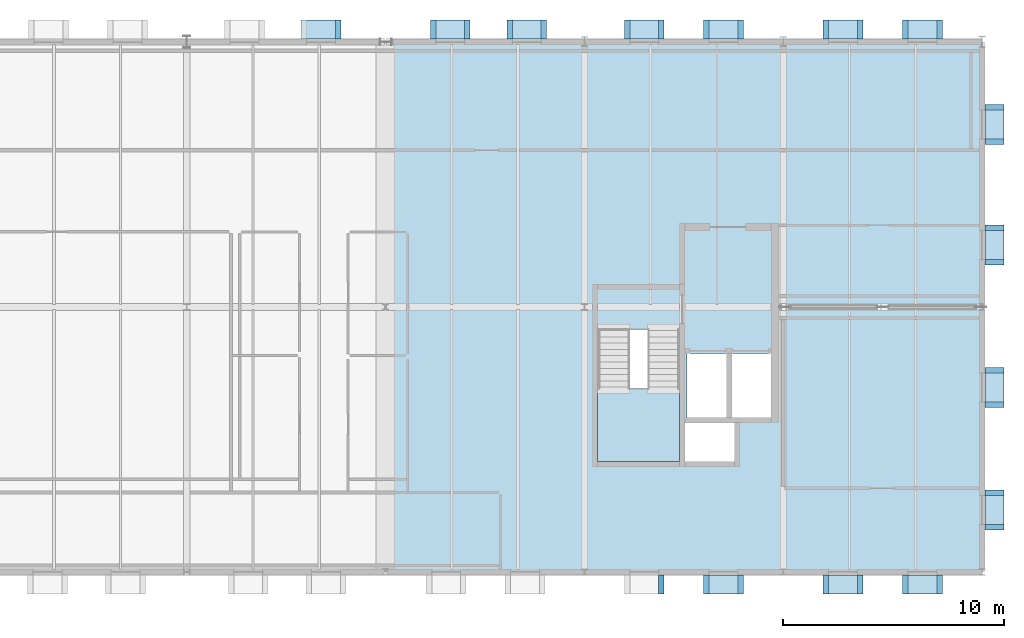
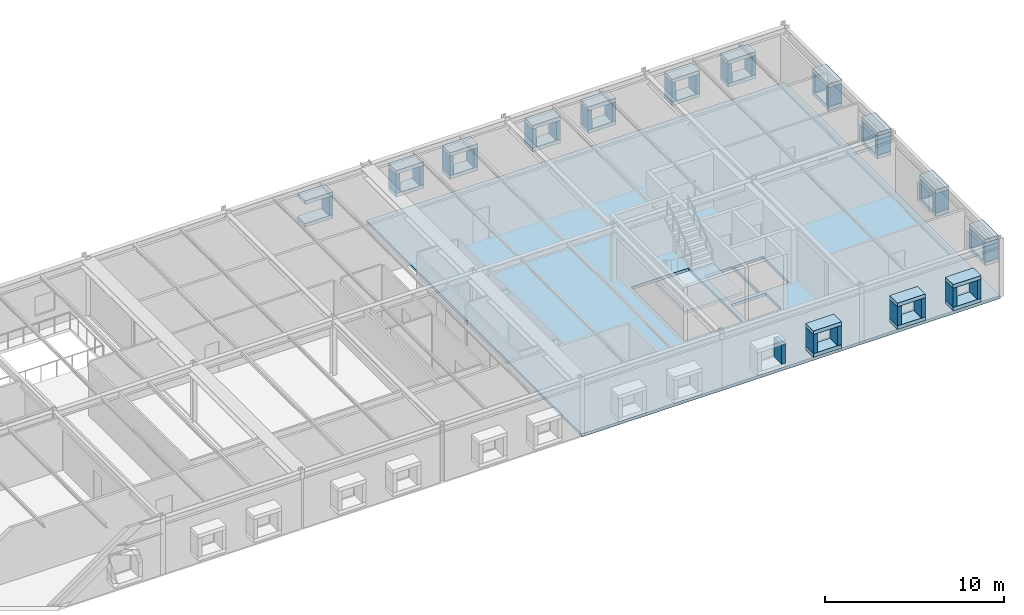
# One storey, part 7 of 17: 56 plates, 2 slabs, 1 element without a shape of its own.
"""IFC4 building model written with IfcOpenShell, lengths in metres."""

from ifc_helpers import new_model, si_unit, direction, frame, origin, origin_2d, place, context, subcontext, project, spatial, polyline, rectangle, outline, extrude, material, layer, layer_set, type_object, element, aggregate, save


model = new_model("IFC4")

# Units and contexts
model_context = context("Model", 3, precision=1e-05, world=origin(), true_north=direction((0.0, 1.0)))
body_context = subcontext(model_context, "Body", "Model", "MODEL_VIEW")
ifc_project = project(units=[si_unit("LENGTHUNIT", "METRE"), si_unit("AREAUNIT", "SQUARE_METRE"), si_unit("VOLUMEUNIT", "CUBIC_METRE"), si_unit("PLANEANGLEUNIT", "RADIAN"), si_unit("MASSUNIT", "GRAM", prefix="KILO")], contexts=[model_context])

# Site, building, storey
site_placement = place(None, origin())
site = spatial("IfcSite", under=ifc_project, at=site_placement, CompositionType="ELEMENT")
building_placement = place(site_placement, origin())
building = spatial("IfcBuilding", under=site, at=building_placement, Name="Montelvaro Courts of Justice", CompositionType="ELEMENT")
storey_placement = place(building_placement, frame((0.0, 0.0, 31.39990234375)))
storey = spatial("IfcBuildingStorey", under=building, at=storey_placement, Name="L07", CompositionType="ELEMENT", Elevation=31.39990234375)

# Slab
ifc_material_1 = material(Name="Concrete C35/45", Category="concrete")
ifc_layer_1 = layer(ifc_material_1, 0.199951171875)
ifc_layer_set_1 = layer_set([ifc_layer_1], Name="Concrete C35/45")
slab_type_1 = type_object("IfcSlabType", Name="FloorSlab_200", PredefinedType="FLOOR", material=ifc_layer_set_1)
slab_1_placement = place(storey_placement, frame((0.0, 0.0, -0.199951171875)))
element("IfcSlab", 1, at=slab_1_placement, inside=storey, type_object=slab_type_1, Name="Structural Slab SF-09 L07", PredefinedType="FLOOR", context=body_context, shape_type="SweptSolid", body=[
    extrude(outline(polyline([(99.050048828125, 0.0), (126.0, 0.0), (126.0, 24.0), (99.050048828125, 24.0), (99.050048828125, 0.0)]), holes=[polyline([(108.60009765625, 5.0), (112.300048828125, 5.0), (112.300048828125, 11.0), (108.60009765625, 11.0), (108.60009765625, 5.0)]), polyline([(112.5400390625, 5.0), (114.800048828125, 5.0), (114.800048828125, 6.760009765625), (112.5400390625, 6.760009765625), (112.5400390625, 5.0)]), polyline([(112.64990234375, 7.0), (114.5, 7.0), (114.5, 9.89990234375), (112.64990234375, 9.89990234375), (112.64990234375, 7.0)]), polyline([(114.60009765625, 7.0), (116.449951171875, 7.0), (116.449951171875, 9.89990234375), (114.60009765625, 9.89990234375), (114.60009765625, 7.0)])]), origin(), (0.0, 0.0, 1.0), 0.199951171875),
])

# Plates
ifc_material_2 = material(Name="White mineral precast concrete C45/55", Category="concrete")
ifc_layer_2 = layer(ifc_material_2, 0.25)
ifc_layer_set_2 = layer_set([ifc_layer_2], Name="White mineral precast concrete C45/55")
plate_type = type_object("IfcPlateType", Name="PrecastSquareFrame_250x850", PredefinedType="SHEET", material=ifc_layer_set_2)
for number, where, z_axis, x_axis, name in (
    (2, (96.075927734375, 24.56005859375, 2.35009765625), (0.0, 0.0, 1.0), (-1.0, 0.0, 0.0), "Graduated Square Window Frame PF-03 W-L07-350 TOP"),
    (3, (96.075927734375, 24.56005859375, 0.800048828125), (0.0, 0.0, 1.0), (-1.0, 0.0, 0.0), "Graduated Square Window Frame PF-03 W-L07-350 BOT"),
):
    element("IfcPlate", number, at=place(storey_placement, frame(where, z_axis=z_axis, x_axis=x_axis)), inside=storey, type_object=plate_type, Name=name, PredefinedType="SHEET", context=body_context, shape_type="SweptSolid", body=[
        extrude(rectangle(XDim=1.800048828125, YDim=0.860107421875, at=origin_2d()), origin(), (0.0, 0.0, 1.0), 0.25),
    ])
for number, where, z_axis, x_axis, name in (
    (4, (96.85107421875, 24.56005859375, 1.05029296875), (0.0, 0.0, 1.0), (-1.0, 0.0, 0.0), "Graduated Square Window Frame PF-03 W-L07-350 L"),
    (5, (111.47802734375, -0.56005859375, 1.05029296875), (0.0, 0.0, 1.0), (1.0, 0.0, 0.0), "Graduated Square Window Frame PF-03 W-L07-356 R"),
):
    element("IfcPlate", number, at=place(storey_placement, frame(where, z_axis=z_axis, x_axis=x_axis)), inside=storey, type_object=plate_type, Name=name, PredefinedType="SHEET", context=body_context, shape_type="SweptSolid", body=[
        extrude(rectangle(XDim=0.25, YDim=0.860107421875, at=origin_2d()), origin(), (0.0, 0.0, 1.0), 1.300048828125),
    ])
for number, where, z_axis, x_axis, name in (
    (6, (114.297119140625, -0.56005859375, 2.35009765625), (0.0, 0.0, 1.0), (1.0, 0.0, 0.0), "Graduated Square Window Frame PF-03 W-L07-357 TOP"),
    (7, (114.297119140625, -0.56005859375, 0.800048828125), (0.0, 0.0, 1.0), (1.0, 0.0, 0.0), "Graduated Square Window Frame PF-03 W-L07-357 BOT"),
):
    element("IfcPlate", number, at=place(storey_placement, frame(where, z_axis=z_axis, x_axis=x_axis)), inside=storey, type_object=plate_type, Name=name, PredefinedType="SHEET", context=body_context, shape_type="SweptSolid", body=[
        extrude(rectangle(XDim=1.800048828125, YDim=0.860107421875, at=origin_2d()), origin(), (0.0, 0.0, 1.0), 0.25),
    ])
for number, where, z_axis, x_axis, name in (
    (8, (113.52197265625, -0.56005859375, 1.05029296875), (0.0, 0.0, 1.0), (1.0, 0.0, 0.0), "Graduated Square Window Frame PF-03 W-L07-357 L"),
    (9, (115.072021484375, -0.56005859375, 1.05029296875), (0.0, 0.0, 1.0), (1.0, 0.0, 0.0), "Graduated Square Window Frame PF-03 W-L07-357 R"),
):
    element("IfcPlate", number, at=place(storey_placement, frame(where, z_axis=z_axis, x_axis=x_axis)), inside=storey, type_object=plate_type, Name=name, PredefinedType="SHEET", context=body_context, shape_type="SweptSolid", body=[
        extrude(rectangle(XDim=0.25, YDim=0.860107421875, at=origin_2d()), origin(), (0.0, 0.0, 1.0), 1.300048828125),
    ])
for number, where, z_axis, x_axis, name in (
    (10, (119.702880859375, -0.56005859375, 2.35009765625), (0.0, 0.0, 1.0), (1.0, 0.0, 0.0), "Graduated Square Window Frame PF-03 W-L07-358 TOP"),
    (11, (119.702880859375, -0.56005859375, 0.800048828125), (0.0, 0.0, 1.0), (1.0, 0.0, 0.0), "Graduated Square Window Frame PF-03 W-L07-358 BOT"),
):
    element("IfcPlate", number, at=place(storey_placement, frame(where, z_axis=z_axis, x_axis=x_axis)), inside=storey, type_object=plate_type, Name=name, PredefinedType="SHEET", context=body_context, shape_type="SweptSolid", body=[
        extrude(rectangle(XDim=1.800048828125, YDim=0.860107421875, at=origin_2d()), origin(), (0.0, 0.0, 1.0), 0.25),
    ])
for number, where, z_axis, x_axis, name in (
    (12, (118.927978515625, -0.56005859375, 1.05029296875), (0.0, 0.0, 1.0), (1.0, 0.0, 0.0), "Graduated Square Window Frame PF-03 W-L07-358 L"),
    (13, (120.47802734375, -0.56005859375, 1.05029296875), (0.0, 0.0, 1.0), (1.0, 0.0, 0.0), "Graduated Square Window Frame PF-03 W-L07-358 R"),
):
    element("IfcPlate", number, at=place(storey_placement, frame(where, z_axis=z_axis, x_axis=x_axis)), inside=storey, type_object=plate_type, Name=name, PredefinedType="SHEET", context=body_context, shape_type="SweptSolid", body=[
        extrude(rectangle(XDim=0.25, YDim=0.860107421875, at=origin_2d()), origin(), (0.0, 0.0, 1.0), 1.300048828125),
    ])
for number, where, z_axis, x_axis, name in (
    (14, (123.297119140625, -0.56005859375, 2.35009765625), (0.0, 0.0, 1.0), (1.0, 0.0, 0.0), "Graduated Square Window Frame PF-03 W-L07-359 TOP"),
    (15, (123.297119140625, -0.56005859375, 0.800048828125), (0.0, 0.0, 1.0), (1.0, 0.0, 0.0), "Graduated Square Window Frame PF-03 W-L07-359 BOT"),
):
    element("IfcPlate", number, at=place(storey_placement, frame(where, z_axis=z_axis, x_axis=x_axis)), inside=storey, type_object=plate_type, Name=name, PredefinedType="SHEET", context=body_context, shape_type="SweptSolid", body=[
        extrude(rectangle(XDim=1.800048828125, YDim=0.860107421875, at=origin_2d()), origin(), (0.0, 0.0, 1.0), 0.25),
    ])
for number, where, z_axis, x_axis, name in (
    (16, (122.52197265625, -0.56005859375, 1.05029296875), (0.0, 0.0, 1.0), (1.0, 0.0, 0.0), "Graduated Square Window Frame PF-03 W-L07-359 L"),
    (17, (124.072021484375, -0.56005859375, 1.05029296875), (0.0, 0.0, 1.0), (1.0, 0.0, 0.0), "Graduated Square Window Frame PF-03 W-L07-359 R"),
):
    element("IfcPlate", number, at=place(storey_placement, frame(where, z_axis=z_axis, x_axis=x_axis)), inside=storey, type_object=plate_type, Name=name, PredefinedType="SHEET", context=body_context, shape_type="SweptSolid", body=[
        extrude(rectangle(XDim=0.25, YDim=0.860107421875, at=origin_2d()), origin(), (0.0, 0.0, 1.0), 1.300048828125),
    ])
for number, where, z_axis, x_axis, name in (
    (18, (126.56005859375, 2.81005859375, 2.35009765625), (0.0, 0.0, 1.0), (0.0, 1.0, 0.0), "Graduated Square Window Frame PF-03 W-L07-360 TOP"),
    (19, (126.56005859375, 2.81005859375, 0.800048828125), (0.0, 0.0, 1.0), (0.0, 1.0, 0.0), "Graduated Square Window Frame PF-03 W-L07-360 BOT"),
):
    element("IfcPlate", number, at=place(storey_placement, frame(where, z_axis=z_axis, x_axis=x_axis)), inside=storey, type_object=plate_type, Name=name, PredefinedType="SHEET", context=body_context, shape_type="SweptSolid", body=[
        extrude(rectangle(XDim=1.800048828125, YDim=0.860107421875, at=origin_2d()), origin(), (0.0, 0.0, 1.0), 0.25),
    ])
for number, where, z_axis, x_axis, name in (
    (20, (126.56005859375, 2.034912109375, 1.05029296875), (0.0, 0.0, 1.0), (0.0, 1.0, 0.0), "Graduated Square Window Frame PF-03 W-L07-360 L"),
    (21, (126.56005859375, 3.5849609375, 1.05029296875), (0.0, 0.0, 1.0), (0.0, 1.0, 0.0), "Graduated Square Window Frame PF-03 W-L07-360 R"),
):
    element("IfcPlate", number, at=place(storey_placement, frame(where, z_axis=z_axis, x_axis=x_axis)), inside=storey, type_object=plate_type, Name=name, PredefinedType="SHEET", context=body_context, shape_type="SweptSolid", body=[
        extrude(rectangle(XDim=0.25, YDim=0.860107421875, at=origin_2d()), origin(), (0.0, 0.0, 1.0), 1.300048828125),
    ])
for number, where, z_axis, x_axis, name in (
    (22, (126.56005859375, 8.35498046875, 2.35009765625), (0.0, 0.0, 1.0), (0.0, 1.0, 0.0), "Graduated Square Window Frame PF-03 W-L07-361 TOP"),
    (23, (126.56005859375, 8.35498046875, 0.800048828125), (0.0, 0.0, 1.0), (0.0, 1.0, 0.0), "Graduated Square Window Frame PF-03 W-L07-361 BOT"),
):
    element("IfcPlate", number, at=place(storey_placement, frame(where, z_axis=z_axis, x_axis=x_axis)), inside=storey, type_object=plate_type, Name=name, PredefinedType="SHEET", context=body_context, shape_type="SweptSolid", body=[
        extrude(rectangle(XDim=1.800048828125, YDim=0.860107421875, at=origin_2d()), origin(), (0.0, 0.0, 1.0), 0.25),
    ])
for number, where, z_axis, x_axis, name in (
    (24, (126.56005859375, 7.580078125, 1.05029296875), (0.0, 0.0, 1.0), (0.0, 1.0, 0.0), "Graduated Square Window Frame PF-03 W-L07-361 L"),
    (25, (126.56005859375, 9.1298828125, 1.05029296875), (0.0, 0.0, 1.0), (0.0, 1.0, 0.0), "Graduated Square Window Frame PF-03 W-L07-361 R"),
):
    element("IfcPlate", number, at=place(storey_placement, frame(where, z_axis=z_axis, x_axis=x_axis)), inside=storey, type_object=plate_type, Name=name, PredefinedType="SHEET", context=body_context, shape_type="SweptSolid", body=[
        extrude(rectangle(XDim=0.25, YDim=0.860107421875, at=origin_2d()), origin(), (0.0, 0.0, 1.0), 1.300048828125),
    ])
for number, where, z_axis, x_axis, name in (
    (26, (126.56005859375, 14.81005859375, 2.35009765625), (0.0, 0.0, 1.0), (0.0, 1.0, 0.0), "Graduated Square Window Frame PF-03 W-L07-362 TOP"),
    (27, (126.56005859375, 14.81005859375, 0.800048828125), (0.0, 0.0, 1.0), (0.0, 1.0, 0.0), "Graduated Square Window Frame PF-03 W-L07-362 BOT"),
):
    element("IfcPlate", number, at=place(storey_placement, frame(where, z_axis=z_axis, x_axis=x_axis)), inside=storey, type_object=plate_type, Name=name, PredefinedType="SHEET", context=body_context, shape_type="SweptSolid", body=[
        extrude(rectangle(XDim=1.800048828125, YDim=0.860107421875, at=origin_2d()), origin(), (0.0, 0.0, 1.0), 0.25),
    ])
for number, where, z_axis, x_axis, name in (
    (28, (126.56005859375, 14.034912109375, 1.05029296875), (0.0, 0.0, 1.0), (0.0, 1.0, 0.0), "Graduated Square Window Frame PF-03 W-L07-362 L"),
    (29, (126.56005859375, 15.5849609375, 1.05029296875), (0.0, 0.0, 1.0), (0.0, 1.0, 0.0), "Graduated Square Window Frame PF-03 W-L07-362 R"),
):
    element("IfcPlate", number, at=place(storey_placement, frame(where, z_axis=z_axis, x_axis=x_axis)), inside=storey, type_object=plate_type, Name=name, PredefinedType="SHEET", context=body_context, shape_type="SweptSolid", body=[
        extrude(rectangle(XDim=0.25, YDim=0.860107421875, at=origin_2d()), origin(), (0.0, 0.0, 1.0), 1.300048828125),
    ])
for number, where, z_axis, x_axis, name in (
    (30, (126.56005859375, 20.264892578125, 2.35009765625), (0.0, 0.0, 1.0), (0.0, 1.0, 0.0), "Graduated Square Window Frame PF-03 W-L07-363 TOP"),
    (31, (126.56005859375, 20.264892578125, 0.800048828125), (0.0, 0.0, 1.0), (0.0, 1.0, 0.0), "Graduated Square Window Frame PF-03 W-L07-363 BOT"),
):
    element("IfcPlate", number, at=place(storey_placement, frame(where, z_axis=z_axis, x_axis=x_axis)), inside=storey, type_object=plate_type, Name=name, PredefinedType="SHEET", context=body_context, shape_type="SweptSolid", body=[
        extrude(rectangle(XDim=1.800048828125, YDim=0.860107421875, at=origin_2d()), origin(), (0.0, 0.0, 1.0), 0.25),
    ])
for number, where, z_axis, x_axis, name in (
    (32, (126.56005859375, 19.489990234375, 1.05029296875), (0.0, 0.0, 1.0), (0.0, 1.0, 0.0), "Graduated Square Window Frame PF-03 W-L07-363 L"),
    (33, (126.56005859375, 21.0400390625, 1.05029296875), (0.0, 0.0, 1.0), (0.0, 1.0, 0.0), "Graduated Square Window Frame PF-03 W-L07-363 R"),
):
    element("IfcPlate", number, at=place(storey_placement, frame(where, z_axis=z_axis, x_axis=x_axis)), inside=storey, type_object=plate_type, Name=name, PredefinedType="SHEET", context=body_context, shape_type="SweptSolid", body=[
        extrude(rectangle(XDim=0.25, YDim=0.860107421875, at=origin_2d()), origin(), (0.0, 0.0, 1.0), 1.300048828125),
    ])
for number, where, z_axis, x_axis, name in (
    (34, (123.297119140625, 24.56005859375, 2.35009765625), (0.0, 0.0, 1.0), (-1.0, 0.0, 0.0), "Graduated Square Window Frame PF-03 W-L07-364 TOP"),
    (35, (123.297119140625, 24.56005859375, 0.800048828125), (0.0, 0.0, 1.0), (-1.0, 0.0, 0.0), "Graduated Square Window Frame PF-03 W-L07-364 BOT"),
):
    element("IfcPlate", number, at=place(storey_placement, frame(where, z_axis=z_axis, x_axis=x_axis)), inside=storey, type_object=plate_type, Name=name, PredefinedType="SHEET", context=body_context, shape_type="SweptSolid", body=[
        extrude(rectangle(XDim=1.800048828125, YDim=0.860107421875, at=origin_2d()), origin(), (0.0, 0.0, 1.0), 0.25),
    ])
for number, where, z_axis, x_axis, name in (
    (36, (124.072021484375, 24.56005859375, 1.05029296875), (0.0, 0.0, 1.0), (-1.0, 0.0, 0.0), "Graduated Square Window Frame PF-03 W-L07-364 L"),
    (37, (122.52197265625, 24.56005859375, 1.05029296875), (0.0, 0.0, 1.0), (-1.0, 0.0, 0.0), "Graduated Square Window Frame PF-03 W-L07-364 R"),
):
    element("IfcPlate", number, at=place(storey_placement, frame(where, z_axis=z_axis, x_axis=x_axis)), inside=storey, type_object=plate_type, Name=name, PredefinedType="SHEET", context=body_context, shape_type="SweptSolid", body=[
        extrude(rectangle(XDim=0.25, YDim=0.860107421875, at=origin_2d()), origin(), (0.0, 0.0, 1.0), 1.300048828125),
    ])
for number, where, z_axis, x_axis, name in (
    (38, (119.702880859375, 24.56005859375, 2.35009765625), (0.0, 0.0, 1.0), (-1.0, 0.0, 0.0), "Graduated Square Window Frame PF-03 W-L07-365 TOP"),
    (39, (119.702880859375, 24.56005859375, 0.800048828125), (0.0, 0.0, 1.0), (-1.0, 0.0, 0.0), "Graduated Square Window Frame PF-03 W-L07-365 BOT"),
):
    element("IfcPlate", number, at=place(storey_placement, frame(where, z_axis=z_axis, x_axis=x_axis)), inside=storey, type_object=plate_type, Name=name, PredefinedType="SHEET", context=body_context, shape_type="SweptSolid", body=[
        extrude(rectangle(XDim=1.800048828125, YDim=0.860107421875, at=origin_2d()), origin(), (0.0, 0.0, 1.0), 0.25),
    ])
for number, where, z_axis, x_axis, name in (
    (40, (120.47802734375, 24.56005859375, 1.05029296875), (0.0, 0.0, 1.0), (-1.0, 0.0, 0.0), "Graduated Square Window Frame PF-03 W-L07-365 L"),
    (41, (118.927978515625, 24.56005859375, 1.05029296875), (0.0, 0.0, 1.0), (-1.0, 0.0, 0.0), "Graduated Square Window Frame PF-03 W-L07-365 R"),
):
    element("IfcPlate", number, at=place(storey_placement, frame(where, z_axis=z_axis, x_axis=x_axis)), inside=storey, type_object=plate_type, Name=name, PredefinedType="SHEET", context=body_context, shape_type="SweptSolid", body=[
        extrude(rectangle(XDim=0.25, YDim=0.860107421875, at=origin_2d()), origin(), (0.0, 0.0, 1.0), 1.300048828125),
    ])
for number, where, z_axis, x_axis, name in (
    (42, (114.297119140625, 24.56005859375, 2.35009765625), (0.0, 0.0, 1.0), (-1.0, 0.0, 0.0), "Graduated Square Window Frame PF-03 W-L07-366 TOP"),
    (43, (114.297119140625, 24.56005859375, 0.800048828125), (0.0, 0.0, 1.0), (-1.0, 0.0, 0.0), "Graduated Square Window Frame PF-03 W-L07-366 BOT"),
):
    element("IfcPlate", number, at=place(storey_placement, frame(where, z_axis=z_axis, x_axis=x_axis)), inside=storey, type_object=plate_type, Name=name, PredefinedType="SHEET", context=body_context, shape_type="SweptSolid", body=[
        extrude(rectangle(XDim=1.800048828125, YDim=0.860107421875, at=origin_2d()), origin(), (0.0, 0.0, 1.0), 0.25),
    ])
for number, where, z_axis, x_axis, name in (
    (44, (115.072021484375, 24.56005859375, 1.05029296875), (0.0, 0.0, 1.0), (-1.0, 0.0, 0.0), "Graduated Square Window Frame PF-03 W-L07-366 L"),
    (45, (113.52197265625, 24.56005859375, 1.05029296875), (0.0, 0.0, 1.0), (-1.0, 0.0, 0.0), "Graduated Square Window Frame PF-03 W-L07-366 R"),
):
    element("IfcPlate", number, at=place(storey_placement, frame(where, z_axis=z_axis, x_axis=x_axis)), inside=storey, type_object=plate_type, Name=name, PredefinedType="SHEET", context=body_context, shape_type="SweptSolid", body=[
        extrude(rectangle(XDim=0.25, YDim=0.860107421875, at=origin_2d()), origin(), (0.0, 0.0, 1.0), 1.300048828125),
    ])
for number, where, z_axis, x_axis, name in (
    (46, (110.702880859375, 24.56005859375, 2.35009765625), (0.0, 0.0, 1.0), (-1.0, 0.0, 0.0), "Graduated Square Window Frame PF-03 W-L07-367 TOP"),
    (47, (110.702880859375, 24.56005859375, 0.800048828125), (0.0, 0.0, 1.0), (-1.0, 0.0, 0.0), "Graduated Square Window Frame PF-03 W-L07-367 BOT"),
):
    element("IfcPlate", number, at=place(storey_placement, frame(where, z_axis=z_axis, x_axis=x_axis)), inside=storey, type_object=plate_type, Name=name, PredefinedType="SHEET", context=body_context, shape_type="SweptSolid", body=[
        extrude(rectangle(XDim=1.800048828125, YDim=0.860107421875, at=origin_2d()), origin(), (0.0, 0.0, 1.0), 0.25),
    ])
for number, where, z_axis, x_axis, name in (
    (48, (111.47802734375, 24.56005859375, 1.05029296875), (0.0, 0.0, 1.0), (-1.0, 0.0, 0.0), "Graduated Square Window Frame PF-03 W-L07-367 L"),
    (49, (109.927978515625, 24.56005859375, 1.05029296875), (0.0, 0.0, 1.0), (-1.0, 0.0, 0.0), "Graduated Square Window Frame PF-03 W-L07-367 R"),
):
    element("IfcPlate", number, at=place(storey_placement, frame(where, z_axis=z_axis, x_axis=x_axis)), inside=storey, type_object=plate_type, Name=name, PredefinedType="SHEET", context=body_context, shape_type="SweptSolid", body=[
        extrude(rectangle(XDim=0.25, YDim=0.860107421875, at=origin_2d()), origin(), (0.0, 0.0, 1.0), 1.300048828125),
    ])
for number, where, z_axis, x_axis, name in (
    (50, (105.39111328125, 24.56005859375, 2.35009765625), (0.0, 0.0, 1.0), (-1.0, 0.0, 0.0), "Graduated Square Window Frame PF-03 W-L07-368 TOP"),
    (51, (105.39111328125, 24.56005859375, 0.800048828125), (0.0, 0.0, 1.0), (-1.0, 0.0, 0.0), "Graduated Square Window Frame PF-03 W-L07-368 BOT"),
):
    element("IfcPlate", number, at=place(storey_placement, frame(where, z_axis=z_axis, x_axis=x_axis)), inside=storey, type_object=plate_type, Name=name, PredefinedType="SHEET", context=body_context, shape_type="SweptSolid", body=[
        extrude(rectangle(XDim=1.800048828125, YDim=0.860107421875, at=origin_2d()), origin(), (0.0, 0.0, 1.0), 0.25),
    ])
for number, where, z_axis, x_axis, name in (
    (52, (106.166015625, 24.56005859375, 1.05029296875), (0.0, 0.0, 1.0), (-1.0, 0.0, 0.0), "Graduated Square Window Frame PF-03 W-L07-368 L"),
    (53, (104.615966796875, 24.56005859375, 1.05029296875), (0.0, 0.0, 1.0), (-1.0, 0.0, 0.0), "Graduated Square Window Frame PF-03 W-L07-368 R"),
):
    element("IfcPlate", number, at=place(storey_placement, frame(where, z_axis=z_axis, x_axis=x_axis)), inside=storey, type_object=plate_type, Name=name, PredefinedType="SHEET", context=body_context, shape_type="SweptSolid", body=[
        extrude(rectangle(XDim=0.25, YDim=0.860107421875, at=origin_2d()), origin(), (0.0, 0.0, 1.0), 1.300048828125),
    ])
for number, where, z_axis, x_axis, name in (
    (54, (101.924072265625, 24.56005859375, 2.35009765625), (0.0, 0.0, 1.0), (-1.0, 0.0, 0.0), "Graduated Square Window Frame PF-03 W-L07-369 TOP"),
    (55, (101.924072265625, 24.56005859375, 0.800048828125), (0.0, 0.0, 1.0), (-1.0, 0.0, 0.0), "Graduated Square Window Frame PF-03 W-L07-369 BOT"),
):
    element("IfcPlate", number, at=place(storey_placement, frame(where, z_axis=z_axis, x_axis=x_axis)), inside=storey, type_object=plate_type, Name=name, PredefinedType="SHEET", context=body_context, shape_type="SweptSolid", body=[
        extrude(rectangle(XDim=1.800048828125, YDim=0.860107421875, at=origin_2d()), origin(), (0.0, 0.0, 1.0), 0.25),
    ])
for number, where, z_axis, x_axis, name in (
    (56, (102.698974609375, 24.56005859375, 1.05029296875), (0.0, 0.0, 1.0), (-1.0, 0.0, 0.0), "Graduated Square Window Frame PF-03 W-L07-369 L"),
    (57, (101.14892578125, 24.56005859375, 1.05029296875), (0.0, 0.0, 1.0), (-1.0, 0.0, 0.0), "Graduated Square Window Frame PF-03 W-L07-369 R"),
):
    element("IfcPlate", number, at=place(storey_placement, frame(where, z_axis=z_axis, x_axis=x_axis)), inside=storey, type_object=plate_type, Name=name, PredefinedType="SHEET", context=body_context, shape_type="SweptSolid", body=[
        extrude(rectangle(XDim=0.25, YDim=0.860107421875, at=origin_2d()), origin(), (0.0, 0.0, 1.0), 1.300048828125),
    ])

# Stair, slab
stair_type = type_object("IfcStairType", Name="ProtectedStair_145", PredefinedType="HALF_TURN_STAIR", material=ifc_material_1)
stair_placement = place(storey_placement, origin())
stair = element("IfcStair", 58, at=stair_placement, inside=storey, type_object=stair_type, Name="Protected Stair ST-K2-L07", PredefinedType="HALF_TURN_STAIR")
ifc_layer_3 = layer(ifc_material_1, 0.199951171875)
ifc_layer_set_3 = layer_set([ifc_layer_3], Name="Concrete C35/45")
slab_type_2 = type_object("IfcSlabType", Name="StairLanding_200", PredefinedType="LANDING", material=ifc_layer_set_3)
slab_2_placement = place(storey_placement, frame((0.0, 0.0, 1.800048828125)))
slab_2 = element("IfcSlab", 59, at=slab_2_placement, type_object=slab_type_2, Name="ST-K2-L07 landing 1", PredefinedType="LANDING", context=body_context, shape_type="SweptSolid", body=[
    extrude(outline(polyline([(108.60009765625, 5.0), (112.300048828125, 5.0), (112.300048828125, 8.304931640625), (108.60009765625, 8.304931640625), (108.60009765625, 5.0)])), origin(), (0.0, 0.0, 1.0), 0.199951171875),
])
aggregate(stair, [slab_2])

save(model, "model.ifc")
